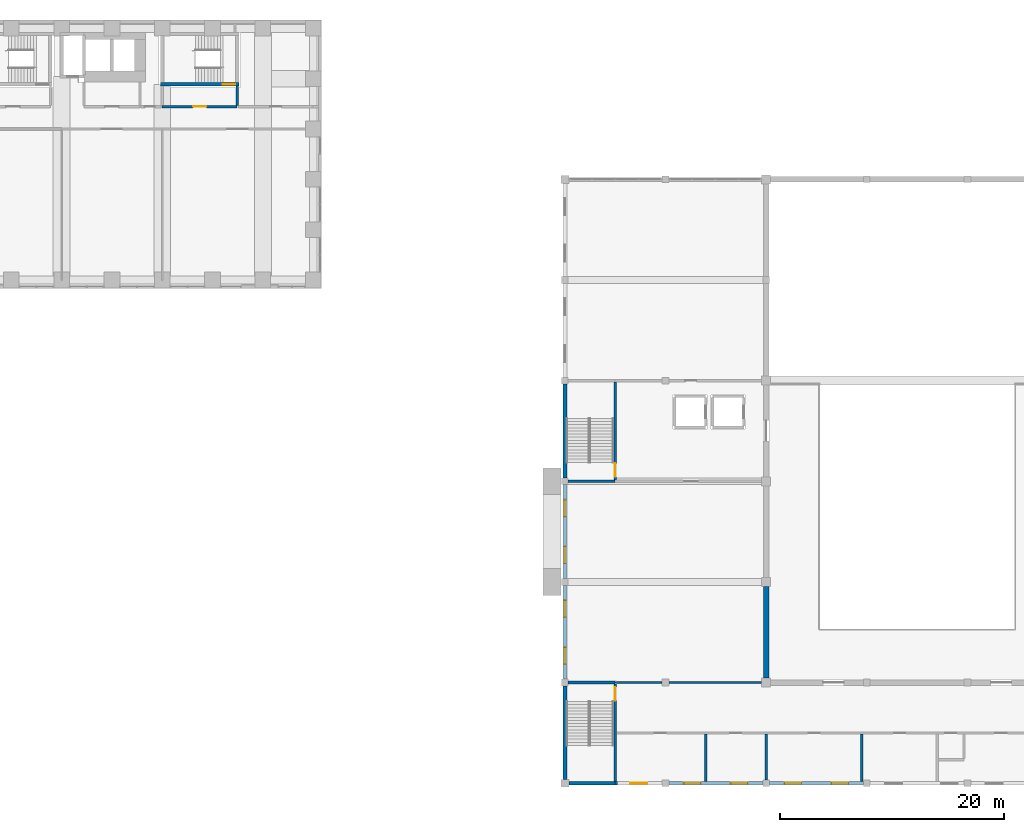
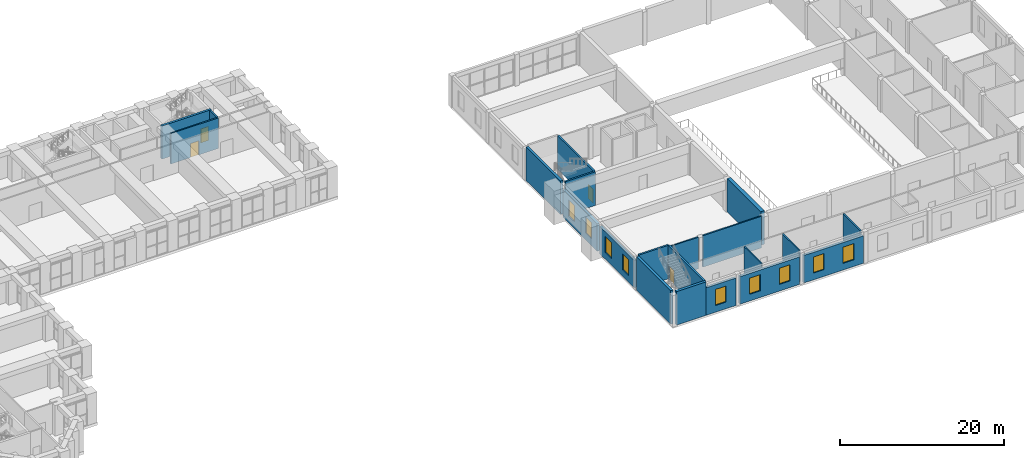
# One storey, part 21 of 34: 21 walls, 9 windows, 4 doors, 13 openings.
"""IFC4 building model written with IfcOpenShell, lengths in metres."""

from ifc_helpers import new_model, si_unit, direction, frame, frame_2d, origin, place, context, subcontext, project, spatial, rectangle, extrude, material, layer, layer_set, type_object, element, fill, save


model = new_model("IFC4")

# Units and contexts
model_context = context("Model", 3, precision=1e-05, world=origin(), true_north=direction((0.0, 1.0)))
body_context = subcontext(model_context, "Body", "Model", "MODEL_VIEW")
ifc_project = project(units=[si_unit("LENGTHUNIT", "METRE"), si_unit("AREAUNIT", "SQUARE_METRE"), si_unit("VOLUMEUNIT", "CUBIC_METRE"), si_unit("PLANEANGLEUNIT", "RADIAN"), si_unit("MASSUNIT", "GRAM", prefix="KILO")], contexts=[model_context])

# Site, building, storey
site_placement = place(None, origin())
site = spatial("IfcSite", under=ifc_project, at=site_placement, CompositionType="ELEMENT")
building_placement = place(site_placement, origin())
building = spatial("IfcBuilding", under=site, at=building_placement, Name="Firuza Court", CompositionType="ELEMENT")
storey_placement = place(building_placement, frame((0.0, 0.0, 19.0)))
storey = spatial("IfcBuildingStorey", under=building, at=storey_placement, Name="L03", CompositionType="ELEMENT", Elevation=19.0)

# Wall, opening, door
ifc_material_1 = material(Name="Concrete C60/75", Category="concrete")
ifc_layer_1 = layer(ifc_material_1, 0.300048828125)
ifc_layer_set_1 = layer_set([ifc_layer_1], Name="Concrete C60/75")
wall_type_1 = type_object("IfcWallType", Name="Core wall 300 C60/75", PredefinedType="SHEAR", material=ifc_layer_set_1)
wall_1_placement = place(storey_placement, frame((53.85009765625, 53.5, -0.39990234375), z_axis=(0.0, 0.0, 1.0), x_axis=(1.0, 0.0, 0.0)))
wall_1 = element("IfcWall", 1, at=wall_1_placement, inside=storey, type_object=wall_type_1, Name="Core wall stair L03", PredefinedType="SHEAR", context=body_context, shape_type="SweptSolid", body=[
    extrude(rectangle(XDim=7.0, YDim=0.300048828125, at=frame_2d((3.5, 0.0))), origin(), (0.0, 0.0, 1.0), 4.949951171875),
])
opening_1_placement = place(wall_1_placement, frame((5.580078125, 0.0, 0.39990234375)))
opening_1 = element("IfcOpeningElement", 2, at=opening_1_placement, cuts=wall_1, Name="Opening D03017", PredefinedType="OPENING", context=body_context, shape_type="SweptSolid", body=[
    extrude(rectangle(XDim=1.10009765625, YDim=2.10009765625, at=frame_2d((0.550048828125, 1.050048828125))), frame((0.0, 0.162109375, 0.0), z_axis=(0.0, -1.0, 0.0), x_axis=(1.0, 0.0, 0.0)), (0.0, 0.0, 1.0), 0.323974609375),
])
ifc_material_2 = material(Name="Timber door leaf in hardwood frame", Category="wood")
door_type_1 = type_object("IfcDoorType", Name="Stair door 1100", OperationType="SINGLE_SWING_LEFT", PredefinedType="DOOR", material=ifc_material_2)
door_1_placement = place(opening_1_placement, origin())
door_1 = element("IfcDoor", 3, at=door_1_placement, inside=storey, type_object=door_type_1, Name="Stair door S4", OperationType="SINGLE_SWING_RIGHT", OverallHeight=2.10009765625, OverallWidth=1.10009765625, PredefinedType="DOOR", context=body_context, shape_type="SweptSolid", body=[
    extrude(rectangle(XDim=1.10009765625, YDim=2.10009765625, at=frame_2d((0.550048828125, 1.050048828125))), frame((0.0, 0.02490234375, 0.0), z_axis=(0.0, -1.0, 0.0), x_axis=(1.0, 0.0, 0.0)), (0.0, 0.0, 1.0), 0.050048828125),
])
fill(opening_1, door_1)

# Walls
ifc_material_3 = material(Name="Blockwork", Category="masonry")
ifc_layer_2 = layer(ifc_material_3, 0.199951171875)
ifc_layer_set_2 = layer_set([ifc_layer_2], Name="Blockwork")
wall_type_2 = type_object("IfcWallType", Name="HALL PARTITION 200", PredefinedType="STANDARD", material=ifc_layer_set_2)
wall_2_placement = place(storey_placement, frame((94.5, 0.0, 0.0), z_axis=(0.0, 0.0, 1.0), x_axis=(1.0, 0.0, 0.0)))
element("IfcWall", 4, at=wall_2_placement, inside=storey, type_object=wall_type_2, Name="Wall L03.13", PredefinedType="STANDARD", context=body_context, shape_type="SweptSolid", body=[
    extrude(rectangle(XDim=4.199951171875, YDim=0.199951171875, at=frame_2d((2.10009765625, 0.0))), origin(), (0.0, 0.0, 1.0), 4.699951171875),
])
wall_3_placement = place(storey_placement, frame((99.300048828125, 0.0, 0.0), z_axis=(0.0, 0.0, 1.0), x_axis=(1.0, 0.0, 0.0)))
element("IfcWall", 5, at=wall_3_placement, inside=storey, type_object=wall_type_2, Name="Wall L03.14", PredefinedType="STANDARD", context=body_context, shape_type="SweptSolid", body=[
    extrude(rectangle(XDim=8.300048828125, YDim=0.199951171875, at=frame_2d((4.14990234375, 0.0))), origin(), (0.0, 0.0, 1.0), 4.699951171875),
])
wall_4_placement = place(storey_placement, frame((102.60009765625, -8.824951171875, 0.0), z_axis=(0.0, 0.0, 1.0), x_axis=(0.0, 1.0, 0.0)))
element("IfcWall", 6, at=wall_4_placement, inside=storey, type_object=wall_type_2, Name="Wall L03.58", PredefinedType="STANDARD", context=body_context, shape_type="SweptSolid", body=[
    extrude(rectangle(XDim=4.224853515625, YDim=0.199951171875, at=frame_2d((2.1123046875, 0.0))), origin(), (0.0, 0.0, 1.0), 4.699951171875),
])
wall_5_placement = place(storey_placement, frame((108.0, -8.699951171875, 0.0), z_axis=(0.0, 0.0, 1.0), x_axis=(0.0, 1.0, 0.0)))
element("IfcWall", 7, at=wall_5_placement, inside=storey, type_object=wall_type_2, Name="Wall L03.62", PredefinedType="STANDARD", context=body_context, shape_type="SweptSolid", body=[
    extrude(rectangle(XDim=4.099853515625, YDim=0.199951171875, at=frame_2d((2.0498046875, 0.0))), origin(), (0.0, 0.0, 1.0), 4.699951171875),
])
wall_6_placement = place(storey_placement, frame((116.550048828125, -8.824951171875, 0.0), z_axis=(0.0, 0.0, 1.0), x_axis=(0.0, 1.0, 0.0)))
element("IfcWall", 8, at=wall_6_placement, inside=storey, type_object=wall_type_2, Name="Wall L03.68", PredefinedType="STANDARD", context=body_context, shape_type="SweptSolid", body=[
    extrude(rectangle(XDim=4.224853515625, YDim=0.199951171875, at=frame_2d((2.1123046875, 0.0))), origin(), (0.0, 0.0, 1.0), 4.699951171875),
])
ifc_material_4 = material(Name="Concrete C40/50", Category="concrete")
ifc_layer_3 = layer(ifc_material_4, 0.25)
ifc_layer_set_3 = layer_set([ifc_layer_3], Name="Concrete C40/50")
wall_type_3 = type_object("IfcWallType", Name="HALL RC WALL 250", PredefinedType="STANDARD", material=ifc_layer_set_3)
for number, where, z_axis, x_axis, name in (
    (9, (90.300048828125, 0.0, 0.0), (0.0, 0.0, 1.0), (1.0, 0.0, 0.0), "Wall L03.12"),
    (10, (90.300048828125, 18.0, 0.0), (0.0, 0.0, 1.0), (1.0, 0.0, 0.0), "Wall L03.27"),
):
    element("IfcWall", number, at=place(storey_placement, frame(where, z_axis=z_axis, x_axis=x_axis)), inside=storey, type_object=wall_type_3, Name=name, PredefinedType="STANDARD", context=body_context, shape_type="SweptSolid", body=[
        extrude(rectangle(XDim=4.199951171875, YDim=0.25, at=frame_2d((2.10009765625, 0.0))), origin(), (0.0, 0.0, 1.0), 5.0),
    ])

# Wall, opening, door
wall_7_placement = place(storey_placement, frame((94.5, -8.824951171875, 0.0), z_axis=(0.0, 0.0, 1.0), x_axis=(0.0, 1.0, 0.0)))
wall_7 = element("IfcWall", 11, at=wall_7_placement, inside=storey, type_object=wall_type_3, Name="Wall L03.55", PredefinedType="STANDARD", context=body_context, shape_type="SweptSolid", body=[
    extrude(rectangle(XDim=8.699951171875, YDim=0.25, at=frame_2d((4.35009765625, 0.0))), origin(), (0.0, 0.0, 1.0), 5.0),
])
opening_2_placement = place(wall_7_placement, frame((7.219970703125, 0.0, 0.0)))
opening_2 = element("IfcOpeningElement", 12, at=opening_2_placement, cuts=wall_7, Name="Opening H127", PredefinedType="OPENING", context=body_context, shape_type="SweptSolid", body=[
    extrude(rectangle(XDim=1.199951171875, YDim=2.10009765625, at=frame_2d((0.60009765625, 1.050048828125))), frame((0.0, 0.136962890625, 0.0), z_axis=(0.0, -1.0, 0.0), x_axis=(1.0, 0.0, 0.0)), (0.0, 0.0, 1.0), 0.27392578125),
])
ifc_material_5 = material(Name="Timber", Category="wood")
door_type_2 = type_object("IfcDoorType", Name="HALL DOOR 1200X2100", OperationType="SINGLE_SWING_LEFT", PredefinedType="DOOR", material=ifc_material_5)
door_2_placement = place(opening_2_placement, origin())
door_2 = element("IfcDoor", 13, at=door_2_placement, inside=storey, type_object=door_type_2, Name="Stair H1 door", OperationType="SINGLE_SWING_RIGHT", OverallHeight=2.10009765625, OverallWidth=1.199951171875, PredefinedType="DOOR", context=body_context, shape_type="SweptSolid", body=[
    extrude(rectangle(XDim=1.199951171875, YDim=2.10009765625, at=frame_2d((0.60009765625, 1.050048828125))), frame((0.0, 0.02490234375, 0.0), z_axis=(0.0, -1.0, 0.0), x_axis=(1.0, 0.0, 0.0)), (0.0, 0.0, 1.0), 0.050048828125),
])
fill(opening_2, door_2)

wall_8_placement = place(storey_placement, frame((94.5, 18.125, 0.0), z_axis=(0.0, 0.0, 1.0), x_axis=(0.0, 1.0, 0.0)))
wall_8 = element("IfcWall", 14, at=wall_8_placement, inside=storey, type_object=wall_type_3, Name="Wall L03.56", PredefinedType="STANDARD", context=body_context, shape_type="SweptSolid", body=[
    extrude(rectangle(XDim=8.75, YDim=0.25, at=frame_2d((4.375, 0.0))), origin(), (0.0, 0.0, 1.0), 5.0),
])
opening_3_placement = place(wall_8_placement, frame((0.27001953125, 0.0, 0.0)))
opening_3 = element("IfcOpeningElement", 15, at=opening_3_placement, cuts=wall_8, Name="Opening H129", PredefinedType="OPENING", context=body_context, shape_type="SweptSolid", body=[
    extrude(rectangle(XDim=1.199951171875, YDim=2.10009765625, at=frame_2d((0.60009765625, 1.050048828125))), frame((0.0, 0.136962890625, 0.0), z_axis=(0.0, -1.0, 0.0), x_axis=(1.0, 0.0, 0.0)), (0.0, 0.0, 1.0), 0.27392578125),
])
door_3_placement = place(opening_3_placement, origin())
door_3 = element("IfcDoor", 16, at=door_3_placement, inside=storey, type_object=door_type_2, Name="Stair H3 door", OperationType="SINGLE_SWING_LEFT", OverallHeight=2.10009765625, OverallWidth=1.199951171875, PredefinedType="DOOR", context=body_context, shape_type="SweptSolid", body=[
    extrude(rectangle(XDim=1.199951171875, YDim=2.10009765625, at=frame_2d((0.60009765625, 1.050048828125))), frame((0.0, 0.02490234375, 0.0), z_axis=(0.0, -1.0, 0.0), x_axis=(1.0, 0.0, 0.0)), (0.0, 0.0, 1.0), 0.050048828125),
])
fill(opening_3, door_3)

# Walls
ifc_layer_4 = layer(ifc_material_4, 0.5)
ifc_layer_set_4 = layer_set([ifc_layer_4], Name="Concrete C40/50")
wall_type_4 = type_object("IfcWallType", Name="HALL RC WALL 500", PredefinedType="STANDARD", material=ifc_layer_set_4)
wall_9_placement = place(storey_placement, frame((108.0, 0.39990234375, 0.0), z_axis=(0.0, 0.0, 1.0), x_axis=(0.0, 1.0, 0.0)))
element("IfcWall", 17, at=wall_9_placement, inside=storey, type_object=wall_type_4, Name="Wall L03.63", PredefinedType="STANDARD", context=body_context, shape_type="SweptSolid", body=[
    extrude(rectangle(XDim=8.2001953125, YDim=0.5, at=frame_2d((4.10009765625, 0.0))), origin(), (0.0, 0.0, 1.0), 5.0),
])
ifc_material_6 = material(Name="Concrete C30/37", Category="concrete")
ifc_layer_5 = layer(ifc_material_6, 0.300048828125)
ifc_material_7 = material(Name="Ceramic tile", Category="ceramic")
ifc_layer_6 = layer(ifc_material_7, 0.050048828125)
ifc_layer_set_5 = layer_set([ifc_layer_5, ifc_layer_6], Name="Concrete C30/37")
wall_type_5 = type_object("IfcWallType", Name="HALL TILE CLAD WALL 350", PredefinedType="STANDARD", material=ifc_layer_set_5)
wall_10_placement = place(storey_placement, frame((90.35009765625, -9.0, 0.0), z_axis=(0.0, 0.0, 1.0), x_axis=(1.0, 0.0, 0.0)))
element("IfcWall", 18, at=wall_10_placement, inside=storey, type_object=wall_type_5, Name="Wall L03.1", PredefinedType="STANDARD", context=body_context, shape_type="SweptSolid", body=[
    extrude(rectangle(XDim=4.14990234375, YDim=0.35009765625, at=frame_2d((2.074951171875, 0.0))), origin(), (0.0, 0.0, 1.0), 5.0),
])

# Wall, opening, window
wall_11_placement = place(storey_placement, frame((94.5, -9.0, 0.0), z_axis=(0.0, 0.0, 1.0), x_axis=(1.0, 0.0, 0.0)))
wall_11 = element("IfcWall", 19, at=wall_11_placement, inside=storey, type_object=wall_type_5, Name="Wall L03.2", PredefinedType="STANDARD", context=body_context, shape_type="SweptSolid", body=[
    extrude(rectangle(XDim=4.199951171875, YDim=0.35009765625, at=frame_2d((2.10009765625, 0.0))), origin(), (0.0, 0.0, 1.0), 4.10009765625),
])
opening_4_placement = place(wall_11_placement, frame((1.35009765625, 0.0, 1.0)))
opening_4 = element("IfcOpeningElement", 20, at=opening_4_placement, cuts=wall_11, Name="Opening HW-1", PredefinedType="OPENING", context=body_context, shape_type="SweptSolid", body=[
    extrude(rectangle(XDim=1.5, YDim=2.39990234375, at=frame_2d((0.75, 1.199951171875))), frame((0.0, 0.18701171875, 0.0), z_axis=(0.0, -1.0, 0.0), x_axis=(1.0, 0.0, 0.0)), (0.0, 0.0, 1.0), 0.3740234375),
])
ifc_material_8 = material(Name="Aluminium", Category="aluminium")
window_type = type_object("IfcWindowType", Name="HALL WINDOW 1500X2400", PartitioningType="SINGLE_PANEL", PredefinedType="WINDOW", material=ifc_material_8)
window_1_placement = place(opening_4_placement, origin())
window_1 = element("IfcWindow", 21, at=window_1_placement, inside=storey, type_object=window_type, Name="Window L03.76", OverallHeight=2.39990234375, OverallWidth=1.5, PartitioningType="SINGLE_PANEL", PredefinedType="WINDOW", context=body_context, shape_type="SweptSolid", body=[
    extrude(rectangle(XDim=1.5, YDim=2.39990234375, at=frame_2d((0.75, 1.199951171875))), frame((0.0, 0.030029296875, 0.0), z_axis=(0.0, -1.0, 0.0), x_axis=(1.0, 0.0, 0.0)), (0.0, 0.0, 1.0), 0.06005859375),
])
fill(opening_4, window_1)

# Wall, openings, windows
wall_12_placement = place(storey_placement, frame((99.300048828125, -9.0, 0.0), z_axis=(0.0, 0.0, 1.0), x_axis=(1.0, 0.0, 0.0)))
wall_12 = element("IfcWall", 22, at=wall_12_placement, inside=storey, type_object=wall_type_5, Name="Wall L03.3", PredefinedType="STANDARD", context=body_context, shape_type="SweptSolid", body=[
    extrude(rectangle(XDim=8.39990234375, YDim=0.35009765625, at=frame_2d((4.199951171875, 0.0))), origin(), (0.0, 0.0, 1.0), 4.10009765625),
])
opening_5_placement = place(wall_12_placement, frame((1.35009765625, 0.0, 1.0)))
opening_5 = element("IfcOpeningElement", 23, at=opening_5_placement, cuts=wall_12, Name="Opening HW-1", PredefinedType="OPENING", context=body_context, shape_type="SweptSolid", body=[
    extrude(rectangle(XDim=1.5, YDim=2.39990234375, at=frame_2d((0.75, 1.199951171875))), frame((0.0, 0.18701171875, 0.0), z_axis=(0.0, -1.0, 0.0), x_axis=(1.0, 0.0, 0.0)), (0.0, 0.0, 1.0), 0.3740234375),
])
opening_6_placement = place(wall_12_placement, frame((5.550048828125, 0.0, 1.0)))
opening_6 = element("IfcOpeningElement", 24, at=opening_6_placement, cuts=wall_12, Name="Opening HW-1", PredefinedType="OPENING", context=body_context, shape_type="SweptSolid", body=[
    extrude(rectangle(XDim=1.5, YDim=2.39990234375, at=frame_2d((0.75, 1.199951171875))), frame((0.0, 0.18701171875, 0.0), z_axis=(0.0, -1.0, 0.0), x_axis=(1.0, 0.0, 0.0)), (0.0, 0.0, 1.0), 0.3740234375),
])
window_2_placement = place(opening_5_placement, origin())
window_2 = element("IfcWindow", 25, at=window_2_placement, inside=storey, type_object=window_type, Name="Window L03.77", OverallHeight=2.39990234375, OverallWidth=1.5, PartitioningType="SINGLE_PANEL", PredefinedType="WINDOW", context=body_context, shape_type="SweptSolid", body=[
    extrude(rectangle(XDim=1.5, YDim=2.39990234375, at=frame_2d((0.75, 1.199951171875))), frame((0.0, 0.030029296875, 0.0), z_axis=(0.0, -1.0, 0.0), x_axis=(1.0, 0.0, 0.0)), (0.0, 0.0, 1.0), 0.06005859375),
])
fill(opening_5, window_2)
window_3_placement = place(opening_6_placement, origin())
window_3 = element("IfcWindow", 26, at=window_3_placement, inside=storey, type_object=window_type, Name="Window L03.78", OverallHeight=2.39990234375, OverallWidth=1.5, PartitioningType="SINGLE_PANEL", PredefinedType="WINDOW", context=body_context, shape_type="SweptSolid", body=[
    extrude(rectangle(XDim=1.5, YDim=2.39990234375, at=frame_2d((0.75, 1.199951171875))), frame((0.0, 0.030029296875, 0.0), z_axis=(0.0, -1.0, 0.0), x_axis=(1.0, 0.0, 0.0)), (0.0, 0.0, 1.0), 0.06005859375),
])
fill(opening_6, window_3)

wall_13_placement = place(storey_placement, frame((108.300048828125, -9.0, 0.0), z_axis=(0.0, 0.0, 1.0), x_axis=(1.0, 0.0, 0.0)))
wall_13 = element("IfcWall", 27, at=wall_13_placement, inside=storey, type_object=wall_type_5, Name="Wall L03.4", PredefinedType="STANDARD", context=body_context, shape_type="SweptSolid", body=[
    extrude(rectangle(XDim=8.39990234375, YDim=0.35009765625, at=frame_2d((4.199951171875, 0.0))), origin(), (0.0, 0.0, 1.0), 4.10009765625),
])
opening_7_placement = place(wall_13_placement, frame((1.35009765625, 0.0, 1.0)))
opening_7 = element("IfcOpeningElement", 28, at=opening_7_placement, cuts=wall_13, Name="Opening HW-1", PredefinedType="OPENING", context=body_context, shape_type="SweptSolid", body=[
    extrude(rectangle(XDim=1.5, YDim=2.39990234375, at=frame_2d((0.75, 1.199951171875))), frame((0.0, 0.18701171875, 0.0), z_axis=(0.0, -1.0, 0.0), x_axis=(1.0, 0.0, 0.0)), (0.0, 0.0, 1.0), 0.3740234375),
])
opening_8_placement = place(wall_13_placement, frame((5.550048828125, 0.0, 1.0)))
opening_8 = element("IfcOpeningElement", 29, at=opening_8_placement, cuts=wall_13, Name="Opening HW-1", PredefinedType="OPENING", context=body_context, shape_type="SweptSolid", body=[
    extrude(rectangle(XDim=1.5, YDim=2.39990234375, at=frame_2d((0.75, 1.199951171875))), frame((0.0, 0.18701171875, 0.0), z_axis=(0.0, -1.0, 0.0), x_axis=(1.0, 0.0, 0.0)), (0.0, 0.0, 1.0), 0.3740234375),
])
window_4_placement = place(opening_7_placement, origin())
window_4 = element("IfcWindow", 30, at=window_4_placement, inside=storey, type_object=window_type, Name="Window L03.79", OverallHeight=2.39990234375, OverallWidth=1.5, PartitioningType="SINGLE_PANEL", PredefinedType="WINDOW", context=body_context, shape_type="SweptSolid", body=[
    extrude(rectangle(XDim=1.5, YDim=2.39990234375, at=frame_2d((0.75, 1.199951171875))), frame((0.0, 0.030029296875, 0.0), z_axis=(0.0, -1.0, 0.0), x_axis=(1.0, 0.0, 0.0)), (0.0, 0.0, 1.0), 0.06005859375),
])
fill(opening_7, window_4)
window_5_placement = place(opening_8_placement, origin())
window_5 = element("IfcWindow", 31, at=window_5_placement, inside=storey, type_object=window_type, Name="Window L03.80", OverallHeight=2.39990234375, OverallWidth=1.5, PartitioningType="SINGLE_PANEL", PredefinedType="WINDOW", context=body_context, shape_type="SweptSolid", body=[
    extrude(rectangle(XDim=1.5, YDim=2.39990234375, at=frame_2d((0.75, 1.199951171875))), frame((0.0, 0.030029296875, 0.0), z_axis=(0.0, -1.0, 0.0), x_axis=(1.0, 0.0, 0.0)), (0.0, 0.0, 1.0), 0.06005859375),
])
fill(opening_8, window_5)

# Wall
wall_14_placement = place(storey_placement, frame((90.0, -8.64990234375, 0.0), z_axis=(0.0, 0.0, 1.0), x_axis=(0.0, 1.0, 0.0)))
element("IfcWall", 32, at=wall_14_placement, inside=storey, type_object=wall_type_5, Name="Wall L03.49", PredefinedType="STANDARD", context=body_context, shape_type="SweptSolid", body=[
    extrude(rectangle(XDim=8.349853515625, YDim=0.35009765625, at=frame_2d((4.1748046875, 0.0))), origin(), (0.0, 0.0, 1.0), 5.0),
])

# Wall, openings, windows
wall_15_placement = place(storey_placement, frame((90.0, 0.300048828125, 0.0), z_axis=(0.0, 0.0, 1.0), x_axis=(0.0, 1.0, 0.0)))
wall_15 = element("IfcWall", 33, at=wall_15_placement, inside=storey, type_object=wall_type_5, Name="Wall L03.50", PredefinedType="STANDARD", context=body_context, shape_type="SweptSolid", body=[
    extrude(rectangle(XDim=8.39990234375, YDim=0.35009765625, at=frame_2d((4.199951171875, 0.0))), origin(), (0.0, 0.0, 1.0), 4.10009765625),
])
opening_9_placement = place(wall_15_placement, frame((1.35009765625, 0.0, 1.0)))
opening_9 = element("IfcOpeningElement", 34, at=opening_9_placement, cuts=wall_15, Name="Opening HW-1", PredefinedType="OPENING", context=body_context, shape_type="SweptSolid", body=[
    extrude(rectangle(XDim=1.5, YDim=2.39990234375, at=frame_2d((0.75, 1.199951171875))), frame((0.0, 0.18701171875, 0.0), z_axis=(0.0, -1.0, 0.0), x_axis=(1.0, 0.0, 0.0)), (0.0, 0.0, 1.0), 0.3740234375),
])
opening_10_placement = place(wall_15_placement, frame((5.550048828125, 0.0, 1.0)))
opening_10 = element("IfcOpeningElement", 35, at=opening_10_placement, cuts=wall_15, Name="Opening HW-1", PredefinedType="OPENING", context=body_context, shape_type="SweptSolid", body=[
    extrude(rectangle(XDim=1.5, YDim=2.39990234375, at=frame_2d((0.75, 1.199951171875))), frame((0.0, 0.18701171875, 0.0), z_axis=(0.0, -1.0, 0.0), x_axis=(1.0, 0.0, 0.0)), (0.0, 0.0, 1.0), 0.3740234375),
])
window_6_placement = place(opening_9_placement, origin())
window_6 = element("IfcWindow", 36, at=window_6_placement, inside=storey, type_object=window_type, Name="Window L03.89", OverallHeight=2.39990234375, OverallWidth=1.5, PartitioningType="SINGLE_PANEL", PredefinedType="WINDOW", context=body_context, shape_type="SweptSolid", body=[
    extrude(rectangle(XDim=1.5, YDim=2.39990234375, at=frame_2d((0.75, 1.199951171875))), frame((0.0, 0.030029296875, 0.0), z_axis=(0.0, -1.0, 0.0), x_axis=(1.0, 0.0, 0.0)), (0.0, 0.0, 1.0), 0.06005859375),
])
fill(opening_9, window_6)
window_7_placement = place(opening_10_placement, origin())
window_7 = element("IfcWindow", 37, at=window_7_placement, inside=storey, type_object=window_type, Name="Window L03.90", OverallHeight=2.39990234375, OverallWidth=1.5, PartitioningType="SINGLE_PANEL", PredefinedType="WINDOW", context=body_context, shape_type="SweptSolid", body=[
    extrude(rectangle(XDim=1.5, YDim=2.39990234375, at=frame_2d((0.75, 1.199951171875))), frame((0.0, 0.030029296875, 0.0), z_axis=(0.0, -1.0, 0.0), x_axis=(1.0, 0.0, 0.0)), (0.0, 0.0, 1.0), 0.06005859375),
])
fill(opening_10, window_7)

wall_16_placement = place(storey_placement, frame((90.0, 9.300048828125, 0.0), z_axis=(0.0, 0.0, 1.0), x_axis=(0.0, 1.0, 0.0)))
wall_16 = element("IfcWall", 38, at=wall_16_placement, inside=storey, type_object=wall_type_5, Name="Wall L03.51", PredefinedType="STANDARD", context=body_context, shape_type="SweptSolid", body=[
    extrude(rectangle(XDim=8.39990234375, YDim=0.35009765625, at=frame_2d((4.199951171875, 0.0))), origin(), (0.0, 0.0, 1.0), 4.10009765625),
])
opening_11_placement = place(wall_16_placement, frame((1.35009765625, 0.0, 1.0)))
opening_11 = element("IfcOpeningElement", 39, at=opening_11_placement, cuts=wall_16, Name="Opening HW-1", PredefinedType="OPENING", context=body_context, shape_type="SweptSolid", body=[
    extrude(rectangle(XDim=1.5, YDim=2.39990234375, at=frame_2d((0.75, 1.199951171875))), frame((0.0, 0.18701171875, 0.0), z_axis=(0.0, -1.0, 0.0), x_axis=(1.0, 0.0, 0.0)), (0.0, 0.0, 1.0), 0.3740234375),
])
opening_12_placement = place(wall_16_placement, frame((5.550048828125, 0.0, 1.0)))
opening_12 = element("IfcOpeningElement", 40, at=opening_12_placement, cuts=wall_16, Name="Opening HW-1", PredefinedType="OPENING", context=body_context, shape_type="SweptSolid", body=[
    extrude(rectangle(XDim=1.5, YDim=2.39990234375, at=frame_2d((0.75, 1.199951171875))), frame((0.0, 0.18701171875, 0.0), z_axis=(0.0, -1.0, 0.0), x_axis=(1.0, 0.0, 0.0)), (0.0, 0.0, 1.0), 0.3740234375),
])
window_8_placement = place(opening_11_placement, origin())
window_8 = element("IfcWindow", 41, at=window_8_placement, inside=storey, type_object=window_type, Name="Window L03.91", OverallHeight=2.39990234375, OverallWidth=1.5, PartitioningType="SINGLE_PANEL", PredefinedType="WINDOW", context=body_context, shape_type="SweptSolid", body=[
    extrude(rectangle(XDim=1.5, YDim=2.39990234375, at=frame_2d((0.75, 1.199951171875))), frame((0.0, 0.030029296875, 0.0), z_axis=(0.0, -1.0, 0.0), x_axis=(1.0, 0.0, 0.0)), (0.0, 0.0, 1.0), 0.06005859375),
])
fill(opening_11, window_8)
window_9_placement = place(opening_12_placement, origin())
window_9 = element("IfcWindow", 42, at=window_9_placement, inside=storey, type_object=window_type, Name="Window L03.92", OverallHeight=2.39990234375, OverallWidth=1.5, PartitioningType="SINGLE_PANEL", PredefinedType="WINDOW", context=body_context, shape_type="SweptSolid", body=[
    extrude(rectangle(XDim=1.5, YDim=2.39990234375, at=frame_2d((0.75, 1.199951171875))), frame((0.0, 0.030029296875, 0.0), z_axis=(0.0, -1.0, 0.0), x_axis=(1.0, 0.0, 0.0)), (0.0, 0.0, 1.0), 0.06005859375),
])
fill(opening_12, window_9)

# Wall
wall_17_placement = place(storey_placement, frame((90.0, 18.300048828125, 0.0), z_axis=(0.0, 0.0, 1.0), x_axis=(0.0, 1.0, 0.0)))
element("IfcWall", 43, at=wall_17_placement, inside=storey, type_object=wall_type_5, Name="Wall L03.52", PredefinedType="STANDARD", context=body_context, shape_type="SweptSolid", body=[
    extrude(rectangle(XDim=8.39990234375, YDim=0.35009765625, at=frame_2d((4.199951171875, 0.0))), origin(), (0.0, 0.0, 1.0), 5.0),
])

# Wall, opening, door
ifc_material_9 = material(Name="Blockwork, fire-rated", Category="masonry")
ifc_layer_7 = layer(ifc_material_9, 0.199951171875)
ifc_layer_set_6 = layer_set([ifc_layer_7], Name="Blockwork, fire-rated")
wall_type_6 = type_object("IfcWallType", Name="Shaft wall 200", PredefinedType="PARTITIONING", material=ifc_layer_set_6)
wall_18_placement = place(storey_placement, frame((54.0, 51.5, 0.0), z_axis=(0.0, 0.0, 1.0), x_axis=(1.0, 0.0, 0.0)))
wall_18 = element("IfcWall", 44, at=wall_18_placement, inside=storey, type_object=wall_type_6, Name="Shaft wall 200 L03", PredefinedType="PARTITIONING", context=body_context, shape_type="SweptSolid", body=[
    extrude(rectangle(XDim=6.699951171875, YDim=0.199951171875, at=frame_2d((3.35009765625, 0.0))), origin(), (0.0, 0.0, 1.0), 4.550048828125),
])
opening_13_placement = place(wall_18_placement, frame((2.75, 0.0, 0.0)))
opening_13 = element("IfcOpeningElement", 45, at=opening_13_placement, cuts=wall_18, Name="Opening D03007", PredefinedType="OPENING", context=body_context, shape_type="SweptSolid", body=[
    extrude(rectangle(XDim=1.199951171875, YDim=2.10009765625, at=frame_2d((0.60009765625, 1.050048828125))), frame((0.0, 0.11181640625, 0.0), z_axis=(0.0, -1.0, 0.0), x_axis=(1.0, 0.0, 0.0)), (0.0, 0.0, 1.0), 0.223876953125),
])
ifc_material_10 = material(Name="Timber door leaf in hardwood frame", Category="wood")
door_type_3 = type_object("IfcDoorType", Name="Lobby door 1200", OperationType="SINGLE_SWING_LEFT", PredefinedType="DOOR", material=ifc_material_10)
door_4_placement = place(opening_13_placement, origin())
door_4 = element("IfcDoor", 46, at=door_4_placement, inside=storey, type_object=door_type_3, Name="Lobby door", OperationType="SINGLE_SWING_LEFT", OverallHeight=2.10009765625, OverallWidth=1.199951171875, PredefinedType="DOOR", context=body_context, shape_type="SweptSolid", body=[
    extrude(rectangle(XDim=1.199951171875, YDim=2.10009765625, at=frame_2d((0.60009765625, 1.050048828125))), frame((0.0, 0.02490234375, 0.0), z_axis=(0.0, -1.0, 0.0), x_axis=(1.0, 0.0, 0.0)), (0.0, 0.0, 1.0), 0.050048828125),
])
fill(opening_13, door_4)

# Wall
wall_19_placement = place(storey_placement, frame((60.699951171875, 51.60009765625, 0.0), z_axis=(0.0, 0.0, 1.0), x_axis=(0.0, 1.0, 0.0)))
element("IfcWall", 47, at=wall_19_placement, inside=storey, type_object=wall_type_6, Name="Shaft wall 200 L03", PredefinedType="PARTITIONING", context=body_context, shape_type="SweptSolid", body=[
    extrude(rectangle(XDim=1.72998046875, YDim=0.199951171875, at=frame_2d((0.864990234375, 0.0))), origin(), (0.0, 0.0, 1.0), 4.550048828125),
])

save(model, "model.ifc")
